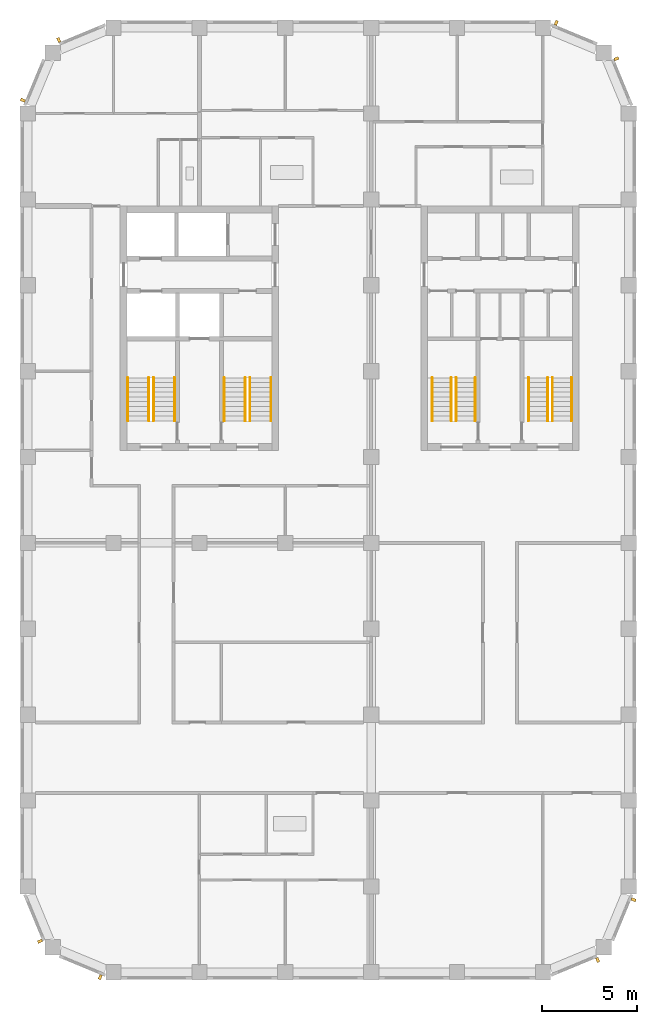
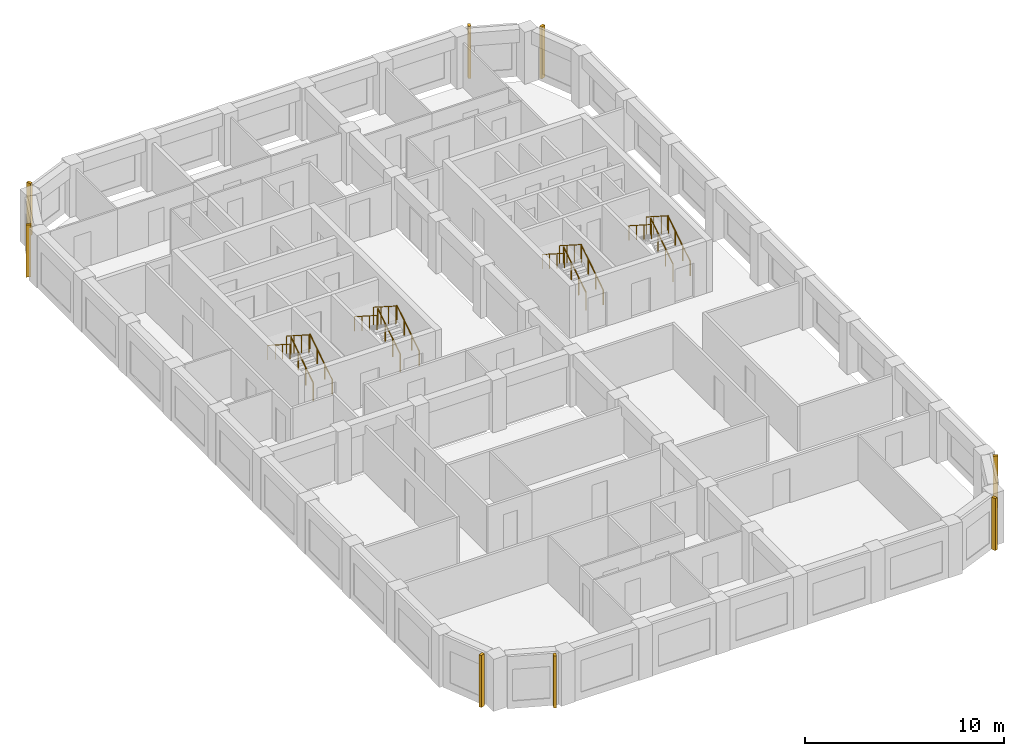
# One storey, part 9 of 10: 16 railings, 8 shading devices.
"""IFC4 building model written with IfcOpenShell, lengths in metres."""

from ifc_helpers import new_model, si_unit, direction, frame, origin, origin_2d, place, context, subcontext, project, spatial, rectangle, circle, extrude, material, type_object, element, save


model = new_model("IFC4")

# Units and contexts
model_context = context("Model", 3, precision=1e-05, world=origin(), true_north=direction((0.0, 1.0)))
body_context = subcontext(model_context, "Body", "Model", "MODEL_VIEW")
ifc_project = project(units=[si_unit("LENGTHUNIT", "METRE"), si_unit("AREAUNIT", "SQUARE_METRE"), si_unit("VOLUMEUNIT", "CUBIC_METRE"), si_unit("PLANEANGLEUNIT", "RADIAN"), si_unit("MASSUNIT", "GRAM", prefix="KILO")], contexts=[model_context])

# Site, building, storey
site_placement = place(None, origin())
site = spatial("IfcSite", under=ifc_project, at=site_placement, CompositionType="ELEMENT")
building_placement = place(site_placement, origin())
building = spatial("IfcBuilding", under=site, at=building_placement, Name="Girih Gate Residences", CompositionType="ELEMENT")
storey_placement = place(building_placement, frame((0.0, 0.0, 210.094970703125)))
storey = spatial("IfcBuildingStorey", under=building, at=storey_placement, Name="L58", CompositionType="ELEMENT", Elevation=210.094970703125)

# Shading devices
ifc_material_1 = material(Name="Precast concrete C50/60", Category="concrete")
shading_device_type = type_object("IfcShadingDeviceType", Name="Corner rib 150x250", PredefinedType="USERDEFINED", material=ifc_material_1)
for number, where, z_axis, x_axis, name in (
    (1, (29.867919921875, 0.646728515625, 0.0), (0.0, 0.0, 1.0), (0.923879532511, 0.382683432365, 0.0), "Corner rib SE0270_0000.0"),
    (2, (31.752685546875, 3.80322265625, 0.0), (0.0, 0.0, 1.0), (0.382683432365, 0.923879532511, 0.0), "Corner rib SE0302_0013.0"),
    (3, (30.853271484375, 47.867919921875, 0.0), (0.0, 0.0, 1.0), (-0.382683432365, 0.923879532511, 0.0), "Corner rib NE0315_0450.0"),
    (4, (27.69677734375, 49.752685546875, 0.0), (0.0, 0.0, 1.0), (-0.923879532511, 0.382683432365, 0.0), "Corner rib NE0302_0482.0"),
    (5, (1.632080078125, 48.853271484375, 0.0), (0.0, 0.0, 1.0), (-0.923879532511, -0.382683432365, 0.0), "Corner rib NW0045_0495.0"),
    (6, (-0.252685546875, 45.69677734375, 0.0), (0.0, 0.0, 1.0), (-0.382683432365, -0.923879532511, 0.0), "Corner rib NW0013_0482.0"),
    (7, (0.646728515625, 1.632080078125, 0.0), (0.0, 0.0, 1.0), (0.382683432365, -0.923879532511, 0.0), "Corner rib SW0000_0045.0"),
    (8, (3.80322265625, -0.252685546875, 0.0), (0.0, 0.0, 1.0), (0.923879532511, -0.382683432365, 0.0), "Corner rib SW0013_0013.0"),
):
    element("IfcShadingDevice", number, at=place(storey_placement, frame(where, z_axis=z_axis, x_axis=x_axis)), inside=storey, type_object=shading_device_type, Name=name, ObjectType="FIN", PredefinedType="USERDEFINED", context=body_context, shape_type="SweptSolid", body=[
        extrude(rectangle(XDim=0.14990234375, YDim=0.25, at=origin_2d()), origin(), (0.0, 0.0, 1.0), 3.199951171875),
    ])

# Railings
ifc_material_2 = material(Name="Stainless steel", Category="steel")
railing_type_1 = type_object("IfcRailingType", Name="Stair guard 1100", PredefinedType="GUARDRAIL", material=ifc_material_2)
railing_1_placement = place(storey_placement, frame((6.60009765625, 28.89990234375, 0.159912109375)))
element("IfcRailing", 9, at=railing_1_placement, inside=storey, type_object=railing_type_1, Name="L58 ST-W1 stair guard 1", PredefinedType="GUARDRAIL", context=body_context, shape_type="SweptSolid", body=[
    extrude(circle(Radius=0.02392578125, at=origin_2d()), frame((0.0, 0.0, 1.076171875), z_axis=(0.0, 0.842239864353, 0.539102968731), x_axis=(-1.0, 0.0, 0.0)), (0.0, 0.0, 1.0), 2.67138671875),
    extrude(circle(Radius=0.02099609375, at=origin_2d()), origin(), (0.0, 0.0, 1.0), 1.052001953125),
    extrude(circle(Radius=0.02099609375, at=origin_2d()), frame((0.0, 0.75, 0.47998046875)), (0.0, 0.0, 1.0), 1.052001953125),
    extrude(circle(Radius=0.02099609375, at=origin_2d()), frame((0.0, 1.5, 0.960205078125)), (0.0, 0.0, 1.0), 1.052001953125),
    extrude(circle(Radius=0.02099609375, at=origin_2d()), frame((0.0, 2.25, 1.440185546875)), (0.0, 0.0, 1.0), 1.052001953125),
])
railing_2_placement = place(storey_placement, frame((6.35009765625, 31.14990234375, 1.760009765625)))
element("IfcRailing", 10, at=railing_2_placement, inside=storey, type_object=railing_type_1, Name="L58 ST-W1 stair guard 2", PredefinedType="GUARDRAIL", context=body_context, shape_type="SweptSolid", body=[
    extrude(circle(Radius=0.02392578125, at=origin_2d()), frame((0.0, 0.0, 1.076171875), z_axis=(0.0, -0.842281359387, 0.539038135598), x_axis=(1.0, 0.0, 0.0)), (0.0, 0.0, 1.0), 2.67138671875),
    extrude(circle(Radius=0.02099609375, at=origin_2d()), origin(), (0.0, 0.0, 1.0), 1.052001953125),
    extrude(circle(Radius=0.02099609375, at=origin_2d()), frame((0.0, -0.75, 0.47998046875)), (0.0, 0.0, 1.0), 1.052001953125),
    extrude(circle(Radius=0.02099609375, at=origin_2d()), frame((0.0, -1.5, 0.9599609375)), (0.0, 0.0, 1.0), 1.052001953125),
    extrude(circle(Radius=0.02099609375, at=origin_2d()), frame((0.0, -2.25, 1.43994140625)), (0.0, 0.0, 1.0), 1.052001953125),
])
railing_3_placement = place(storey_placement, frame((11.64990234375, 28.89990234375, 0.159912109375)))
element("IfcRailing", 11, at=railing_3_placement, inside=storey, type_object=railing_type_1, Name="L58 ST-W2 stair guard 1", PredefinedType="GUARDRAIL", context=body_context, shape_type="SweptSolid", body=[
    extrude(circle(Radius=0.02392578125, at=origin_2d()), frame((0.0, 0.0, 1.076171875), z_axis=(0.0, 0.842239864353, 0.539102968731), x_axis=(-1.0, 0.0, 0.0)), (0.0, 0.0, 1.0), 2.67138671875),
    extrude(circle(Radius=0.02099609375, at=origin_2d()), origin(), (0.0, 0.0, 1.0), 1.052001953125),
    extrude(circle(Radius=0.02099609375, at=origin_2d()), frame((0.0, 0.75, 0.47998046875)), (0.0, 0.0, 1.0), 1.052001953125),
    extrude(circle(Radius=0.02099609375, at=origin_2d()), frame((0.0, 1.5, 0.960205078125)), (0.0, 0.0, 1.0), 1.052001953125),
    extrude(circle(Radius=0.02099609375, at=origin_2d()), frame((0.0, 2.25, 1.440185546875)), (0.0, 0.0, 1.0), 1.052001953125),
])
railing_4_placement = place(storey_placement, frame((11.39990234375, 31.14990234375, 1.760009765625)))
element("IfcRailing", 12, at=railing_4_placement, inside=storey, type_object=railing_type_1, Name="L58 ST-W2 stair guard 2", PredefinedType="GUARDRAIL", context=body_context, shape_type="SweptSolid", body=[
    extrude(circle(Radius=0.02392578125, at=origin_2d()), frame((0.0, 0.0, 1.076171875), z_axis=(0.0, -0.842281359387, 0.539038135598), x_axis=(1.0, 0.0, 0.0)), (0.0, 0.0, 1.0), 2.67138671875),
    extrude(circle(Radius=0.02099609375, at=origin_2d()), origin(), (0.0, 0.0, 1.0), 1.052001953125),
    extrude(circle(Radius=0.02099609375, at=origin_2d()), frame((0.0, -0.75, 0.47998046875)), (0.0, 0.0, 1.0), 1.052001953125),
    extrude(circle(Radius=0.02099609375, at=origin_2d()), frame((0.0, -1.5, 0.9599609375)), (0.0, 0.0, 1.0), 1.052001953125),
    extrude(circle(Radius=0.02099609375, at=origin_2d()), frame((0.0, -2.25, 1.43994140625)), (0.0, 0.0, 1.0), 1.052001953125),
])
railing_5_placement = place(storey_placement, frame((22.449951171875, 28.89990234375, 0.159912109375)))
element("IfcRailing", 13, at=railing_5_placement, inside=storey, type_object=railing_type_1, Name="L58 ST-C1 stair guard 1", PredefinedType="GUARDRAIL", context=body_context, shape_type="SweptSolid", body=[
    extrude(circle(Radius=0.02392578125, at=origin_2d()), frame((0.0, 0.0, 1.076171875), z_axis=(0.0, 0.842239864353, 0.539102968731), x_axis=(-1.0, 0.0, 0.0)), (0.0, 0.0, 1.0), 2.67138671875),
    extrude(circle(Radius=0.02099609375, at=origin_2d()), origin(), (0.0, 0.0, 1.0), 1.052001953125),
    extrude(circle(Radius=0.02099609375, at=origin_2d()), frame((0.0, 0.75, 0.47998046875)), (0.0, 0.0, 1.0), 1.052001953125),
    extrude(circle(Radius=0.02099609375, at=origin_2d()), frame((0.0, 1.5, 0.960205078125)), (0.0, 0.0, 1.0), 1.052001953125),
    extrude(circle(Radius=0.02099609375, at=origin_2d()), frame((0.0, 2.25, 1.440185546875)), (0.0, 0.0, 1.0), 1.052001953125),
])
railing_6_placement = place(storey_placement, frame((22.199951171875, 31.14990234375, 1.760009765625)))
element("IfcRailing", 14, at=railing_6_placement, inside=storey, type_object=railing_type_1, Name="L58 ST-C1 stair guard 2", PredefinedType="GUARDRAIL", context=body_context, shape_type="SweptSolid", body=[
    extrude(circle(Radius=0.02392578125, at=origin_2d()), frame((0.0, 0.0, 1.076171875), z_axis=(0.0, -0.842281359387, 0.539038135598), x_axis=(1.0, 0.0, 0.0)), (0.0, 0.0, 1.0), 2.67138671875),
    extrude(circle(Radius=0.02099609375, at=origin_2d()), origin(), (0.0, 0.0, 1.0), 1.052001953125),
    extrude(circle(Radius=0.02099609375, at=origin_2d()), frame((0.0, -0.75, 0.47998046875)), (0.0, 0.0, 1.0), 1.052001953125),
    extrude(circle(Radius=0.02099609375, at=origin_2d()), frame((0.0, -1.5, 0.9599609375)), (0.0, 0.0, 1.0), 1.052001953125),
    extrude(circle(Radius=0.02099609375, at=origin_2d()), frame((0.0, -2.25, 1.43994140625)), (0.0, 0.0, 1.0), 1.052001953125),
])
railing_7_placement = place(storey_placement, frame((27.5, 28.89990234375, 0.159912109375)))
element("IfcRailing", 15, at=railing_7_placement, inside=storey, type_object=railing_type_1, Name="L58 ST-C2 stair guard 1", PredefinedType="GUARDRAIL", context=body_context, shape_type="SweptSolid", body=[
    extrude(circle(Radius=0.02392578125, at=origin_2d()), frame((0.0, 0.0, 1.076171875), z_axis=(0.0, 0.842239864353, 0.539102968731), x_axis=(-1.0, 0.0, 0.0)), (0.0, 0.0, 1.0), 2.67138671875),
    extrude(circle(Radius=0.02099609375, at=origin_2d()), origin(), (0.0, 0.0, 1.0), 1.052001953125),
    extrude(circle(Radius=0.02099609375, at=origin_2d()), frame((0.0, 0.75, 0.47998046875)), (0.0, 0.0, 1.0), 1.052001953125),
    extrude(circle(Radius=0.02099609375, at=origin_2d()), frame((0.0, 1.5, 0.960205078125)), (0.0, 0.0, 1.0), 1.052001953125),
    extrude(circle(Radius=0.02099609375, at=origin_2d()), frame((0.0, 2.25, 1.440185546875)), (0.0, 0.0, 1.0), 1.052001953125),
])
railing_8_placement = place(storey_placement, frame((27.25, 31.14990234375, 1.760009765625)))
element("IfcRailing", 16, at=railing_8_placement, inside=storey, type_object=railing_type_1, Name="L58 ST-C2 stair guard 2", PredefinedType="GUARDRAIL", context=body_context, shape_type="SweptSolid", body=[
    extrude(circle(Radius=0.02392578125, at=origin_2d()), frame((0.0, 0.0, 1.076171875), z_axis=(0.0, -0.842281359387, 0.539038135598), x_axis=(1.0, 0.0, 0.0)), (0.0, 0.0, 1.0), 2.67138671875),
    extrude(circle(Radius=0.02099609375, at=origin_2d()), origin(), (0.0, 0.0, 1.0), 1.052001953125),
    extrude(circle(Radius=0.02099609375, at=origin_2d()), frame((0.0, -0.75, 0.47998046875)), (0.0, 0.0, 1.0), 1.052001953125),
    extrude(circle(Radius=0.02099609375, at=origin_2d()), frame((0.0, -1.5, 0.9599609375)), (0.0, 0.0, 1.0), 1.052001953125),
    extrude(circle(Radius=0.02099609375, at=origin_2d()), frame((0.0, -2.25, 1.43994140625)), (0.0, 0.0, 1.0), 1.052001953125),
])
railing_type_2 = type_object("IfcRailingType", Name="Stair handrail 900", PredefinedType="HANDRAIL", material=ifc_material_2)
railing_9_placement = place(storey_placement, frame((7.699951171875, 28.89990234375, 0.159912109375)))
element("IfcRailing", 17, at=railing_9_placement, inside=storey, type_object=railing_type_2, Name="L58 ST-W1 stair handrail 1", PredefinedType="HANDRAIL", context=body_context, shape_type="SweptSolid", body=[
    extrude(circle(Radius=0.02392578125, at=origin_2d()), frame((0.0, 0.0, 0.8857421875), z_axis=(0.0, 0.842239864353, 0.539102968731), x_axis=(-1.0, 0.0, 0.0)), (0.0, 0.0, 1.0), 2.67138671875),
    extrude(circle(Radius=0.02099609375, at=origin_2d()), origin(), (0.0, 0.0, 1.0), 0.86181640625),
    extrude(circle(Radius=0.02099609375, at=origin_2d()), frame((0.0, 0.75, 0.47998046875)), (0.0, 0.0, 1.0), 0.86181640625),
    extrude(circle(Radius=0.02099609375, at=origin_2d()), frame((0.0, 1.5, 0.960205078125)), (0.0, 0.0, 1.0), 0.86181640625),
    extrude(circle(Radius=0.02099609375, at=origin_2d()), frame((0.0, 2.25, 1.440185546875)), (0.0, 0.0, 1.0), 0.86181640625),
])
railing_10_placement = place(storey_placement, frame((5.25, 31.14990234375, 1.760009765625)))
element("IfcRailing", 18, at=railing_10_placement, inside=storey, type_object=railing_type_2, Name="L58 ST-W1 stair handrail 2", PredefinedType="HANDRAIL", context=body_context, shape_type="SweptSolid", body=[
    extrude(circle(Radius=0.02392578125, at=origin_2d()), frame((0.0, 0.0, 0.8857421875), z_axis=(0.0, -0.842281359387, 0.539038135598), x_axis=(1.0, 0.0, 0.0)), (0.0, 0.0, 1.0), 2.67138671875),
    extrude(circle(Radius=0.02099609375, at=origin_2d()), origin(), (0.0, 0.0, 1.0), 0.86181640625),
    extrude(circle(Radius=0.02099609375, at=origin_2d()), frame((0.0, -0.75, 0.47998046875)), (0.0, 0.0, 1.0), 0.86181640625),
    extrude(circle(Radius=0.02099609375, at=origin_2d()), frame((0.0, -1.5, 0.9599609375)), (0.0, 0.0, 1.0), 0.86181640625),
    extrude(circle(Radius=0.02099609375, at=origin_2d()), frame((0.0, -2.25, 1.43994140625)), (0.0, 0.0, 1.0), 0.86181640625),
])
railing_11_placement = place(storey_placement, frame((12.75, 28.89990234375, 0.159912109375)))
element("IfcRailing", 19, at=railing_11_placement, inside=storey, type_object=railing_type_2, Name="L58 ST-W2 stair handrail 1", PredefinedType="HANDRAIL", context=body_context, shape_type="SweptSolid", body=[
    extrude(circle(Radius=0.02392578125, at=origin_2d()), frame((0.0, 0.0, 0.8857421875), z_axis=(0.0, 0.842239864353, 0.539102968731), x_axis=(-1.0, 0.0, 0.0)), (0.0, 0.0, 1.0), 2.67138671875),
    extrude(circle(Radius=0.02099609375, at=origin_2d()), origin(), (0.0, 0.0, 1.0), 0.86181640625),
    extrude(circle(Radius=0.02099609375, at=origin_2d()), frame((0.0, 0.75, 0.47998046875)), (0.0, 0.0, 1.0), 0.86181640625),
    extrude(circle(Radius=0.02099609375, at=origin_2d()), frame((0.0, 1.5, 0.960205078125)), (0.0, 0.0, 1.0), 0.86181640625),
    extrude(circle(Radius=0.02099609375, at=origin_2d()), frame((0.0, 2.25, 1.440185546875)), (0.0, 0.0, 1.0), 0.86181640625),
])
railing_12_placement = place(storey_placement, frame((10.300048828125, 31.14990234375, 1.760009765625)))
element("IfcRailing", 20, at=railing_12_placement, inside=storey, type_object=railing_type_2, Name="L58 ST-W2 stair handrail 2", PredefinedType="HANDRAIL", context=body_context, shape_type="SweptSolid", body=[
    extrude(circle(Radius=0.02392578125, at=origin_2d()), frame((0.0, 0.0, 0.8857421875), z_axis=(0.0, -0.842281359387, 0.539038135598), x_axis=(1.0, 0.0, 0.0)), (0.0, 0.0, 1.0), 2.67138671875),
    extrude(circle(Radius=0.02099609375, at=origin_2d()), origin(), (0.0, 0.0, 1.0), 0.86181640625),
    extrude(circle(Radius=0.02099609375, at=origin_2d()), frame((0.0, -0.75, 0.47998046875)), (0.0, 0.0, 1.0), 0.86181640625),
    extrude(circle(Radius=0.02099609375, at=origin_2d()), frame((0.0, -1.5, 0.9599609375)), (0.0, 0.0, 1.0), 0.86181640625),
    extrude(circle(Radius=0.02099609375, at=origin_2d()), frame((0.0, -2.25, 1.43994140625)), (0.0, 0.0, 1.0), 0.86181640625),
])
railing_13_placement = place(storey_placement, frame((23.449951171875, 28.89990234375, 0.159912109375)))
element("IfcRailing", 21, at=railing_13_placement, inside=storey, type_object=railing_type_2, Name="L58 ST-C1 stair handrail 1", PredefinedType="HANDRAIL", context=body_context, shape_type="SweptSolid", body=[
    extrude(circle(Radius=0.02392578125, at=origin_2d()), frame((0.0, 0.0, 0.8857421875), z_axis=(0.0, 0.842239864353, 0.539102968731), x_axis=(-1.0, 0.0, 0.0)), (0.0, 0.0, 1.0), 2.67138671875),
    extrude(circle(Radius=0.02099609375, at=origin_2d()), origin(), (0.0, 0.0, 1.0), 0.86181640625),
    extrude(circle(Radius=0.02099609375, at=origin_2d()), frame((0.0, 0.75, 0.47998046875)), (0.0, 0.0, 1.0), 0.86181640625),
    extrude(circle(Radius=0.02099609375, at=origin_2d()), frame((0.0, 1.5, 0.960205078125)), (0.0, 0.0, 1.0), 0.86181640625),
    extrude(circle(Radius=0.02099609375, at=origin_2d()), frame((0.0, 2.25, 1.440185546875)), (0.0, 0.0, 1.0), 0.86181640625),
])
railing_14_placement = place(storey_placement, frame((21.199951171875, 31.14990234375, 1.760009765625)))
element("IfcRailing", 22, at=railing_14_placement, inside=storey, type_object=railing_type_2, Name="L58 ST-C1 stair handrail 2", PredefinedType="HANDRAIL", context=body_context, shape_type="SweptSolid", body=[
    extrude(circle(Radius=0.02392578125, at=origin_2d()), frame((0.0, 0.0, 0.8857421875), z_axis=(0.0, -0.842281359387, 0.539038135598), x_axis=(1.0, 0.0, 0.0)), (0.0, 0.0, 1.0), 2.67138671875),
    extrude(circle(Radius=0.02099609375, at=origin_2d()), origin(), (0.0, 0.0, 1.0), 0.86181640625),
    extrude(circle(Radius=0.02099609375, at=origin_2d()), frame((0.0, -0.75, 0.47998046875)), (0.0, 0.0, 1.0), 0.86181640625),
    extrude(circle(Radius=0.02099609375, at=origin_2d()), frame((0.0, -1.5, 0.9599609375)), (0.0, 0.0, 1.0), 0.86181640625),
    extrude(circle(Radius=0.02099609375, at=origin_2d()), frame((0.0, -2.25, 1.43994140625)), (0.0, 0.0, 1.0), 0.86181640625),
])
railing_15_placement = place(storey_placement, frame((28.5, 28.89990234375, 0.159912109375)))
element("IfcRailing", 23, at=railing_15_placement, inside=storey, type_object=railing_type_2, Name="L58 ST-C2 stair handrail 1", PredefinedType="HANDRAIL", context=body_context, shape_type="SweptSolid", body=[
    extrude(circle(Radius=0.02392578125, at=origin_2d()), frame((0.0, 0.0, 0.8857421875), z_axis=(0.0, 0.842239864353, 0.539102968731), x_axis=(-1.0, 0.0, 0.0)), (0.0, 0.0, 1.0), 2.67138671875),
    extrude(circle(Radius=0.02099609375, at=origin_2d()), origin(), (0.0, 0.0, 1.0), 0.86181640625),
    extrude(circle(Radius=0.02099609375, at=origin_2d()), frame((0.0, 0.75, 0.47998046875)), (0.0, 0.0, 1.0), 0.86181640625),
    extrude(circle(Radius=0.02099609375, at=origin_2d()), frame((0.0, 1.5, 0.960205078125)), (0.0, 0.0, 1.0), 0.86181640625),
    extrude(circle(Radius=0.02099609375, at=origin_2d()), frame((0.0, 2.25, 1.440185546875)), (0.0, 0.0, 1.0), 0.86181640625),
])
railing_16_placement = place(storey_placement, frame((26.25, 31.14990234375, 1.760009765625)))
element("IfcRailing", 24, at=railing_16_placement, inside=storey, type_object=railing_type_2, Name="L58 ST-C2 stair handrail 2", PredefinedType="HANDRAIL", context=body_context, shape_type="SweptSolid", body=[
    extrude(circle(Radius=0.02392578125, at=origin_2d()), frame((0.0, 0.0, 0.8857421875), z_axis=(0.0, -0.842281359387, 0.539038135598), x_axis=(1.0, 0.0, 0.0)), (0.0, 0.0, 1.0), 2.67138671875),
    extrude(circle(Radius=0.02099609375, at=origin_2d()), origin(), (0.0, 0.0, 1.0), 0.86181640625),
    extrude(circle(Radius=0.02099609375, at=origin_2d()), frame((0.0, -0.75, 0.47998046875)), (0.0, 0.0, 1.0), 0.86181640625),
    extrude(circle(Radius=0.02099609375, at=origin_2d()), frame((0.0, -1.5, 0.9599609375)), (0.0, 0.0, 1.0), 0.86181640625),
    extrude(circle(Radius=0.02099609375, at=origin_2d()), frame((0.0, -2.25, 1.43994140625)), (0.0, 0.0, 1.0), 0.86181640625),
])

save(model, "model.ifc")
